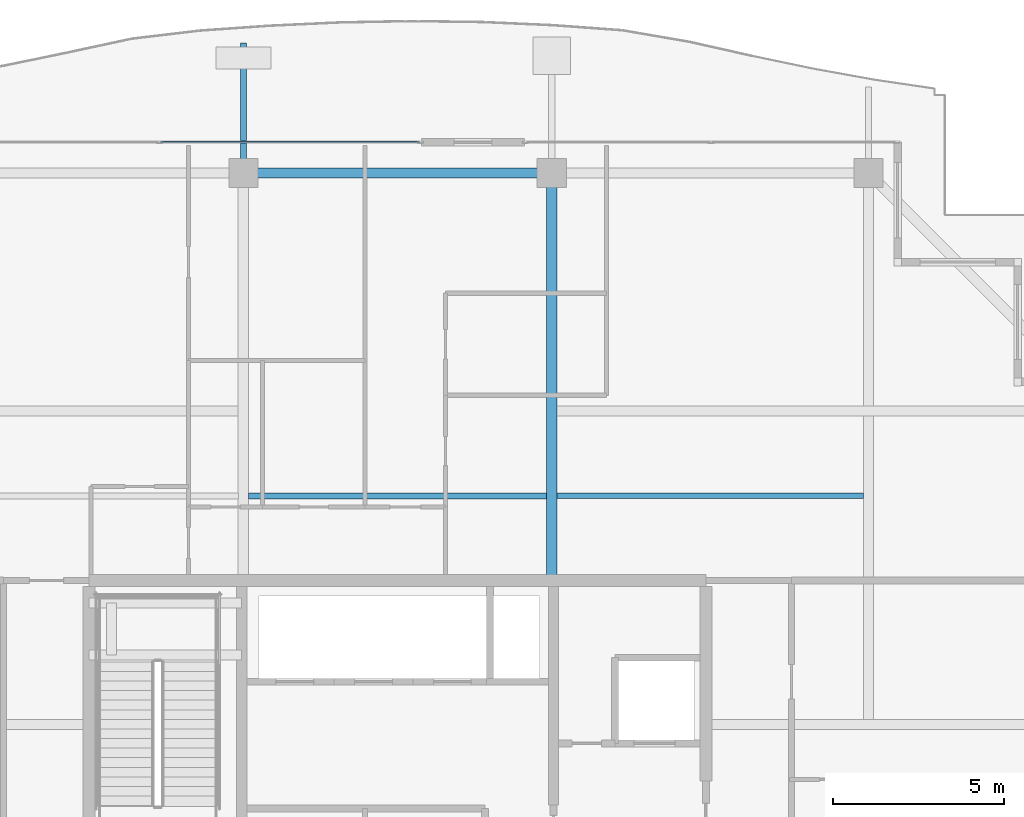
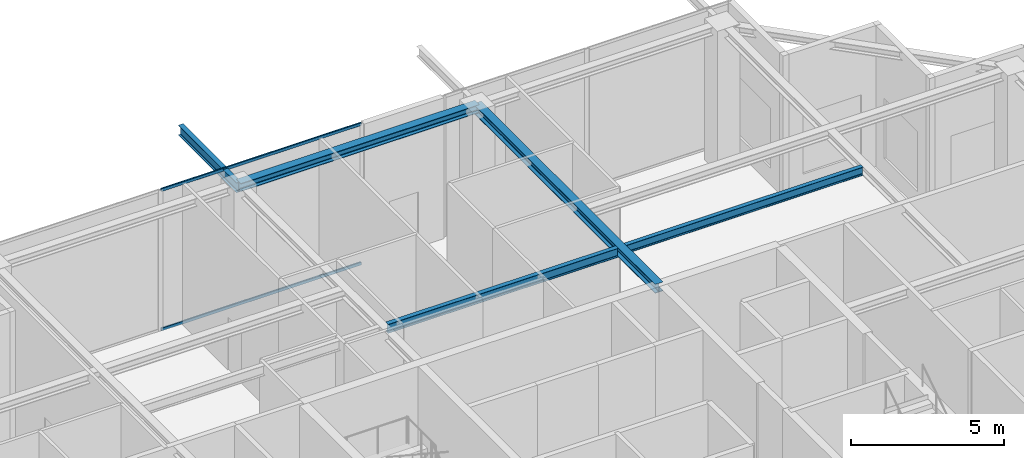
# One storey, part 22 of 40: 5 beams, 2 members, 1 element without a shape of its own.
"""IFC4 building model written with IfcOpenShell, lengths in metres."""

from ifc_helpers import new_model, si_unit, direction, frame, origin, origin_2d, place, context, subcontext, project, spatial, hollow_rectangle, i_section, extrude, source, transform, mapped, material, layer, layer_set, material_profile, profile_set, type_object, element, aggregate, save


model = new_model("IFC4")

# Units and contexts
model_context = context("Model", 3, precision=1e-05, world=origin(), true_north=direction((0.0, 1.0)))
body_context = subcontext(model_context, "Body", "Model", "MODEL_VIEW")
ifc_project = project(units=[si_unit("LENGTHUNIT", "METRE"), si_unit("AREAUNIT", "SQUARE_METRE"), si_unit("VOLUMEUNIT", "CUBIC_METRE"), si_unit("PLANEANGLEUNIT", "RADIAN"), si_unit("MASSUNIT", "GRAM", prefix="KILO")], contexts=[model_context])

# Site, building, storey
site_placement = place(None, origin())
site = spatial("IfcSite", under=ifc_project, at=site_placement, CompositionType="ELEMENT")
building_placement = place(site_placement, origin())
building = spatial("IfcBuilding", under=site, at=building_placement, Name="Serunith Strait Residences", CompositionType="ELEMENT")
storey_placement = place(building_placement, frame((0.0, 0.0, 347.949951171875)))
storey = spatial("IfcBuildingStorey", under=building, at=storey_placement, Name="L86", CompositionType="ELEMENT", Elevation=347.949951171875)

# Beams
ifc_material_1 = material(Name="Steel S355J2", Category="steel")
ifc_material_profile_1 = material_profile(ifc_material_1, i_section(OverallWidth=0.169921875, OverallDepth=0.360107421875, WebThickness=0.008056640625, FlangeThickness=0.0126953125, FilletRadius=0.01806640625, at=origin_2d()), Name="IPE 360")
ifc_profile_set_1 = profile_set([ifc_material_profile_1], Name="Steel S355J2")
beam_type_1 = type_object("IfcBeamType", Name="BM-IPE360", PredefinedType="JOIST", material=ifc_profile_set_1)
shared_shape_1 = source(origin(), body_context, "Body", "SweptSolid", [
    extrude(i_section(OverallWidth=0.169921875, OverallDepth=0.360107421875, WebThickness=0.008056640625, FlangeThickness=0.0126953125, FilletRadius=0.01806640625, at=origin_2d()), origin(), (0.0, 0.0, 1.0), 8.699951171875),
])
beam_1_placement = place(storey_placement, frame((28.050048828125, 36.074951171875, 5.45703125), z_axis=(1.0, 0.0, 0.0), x_axis=(0.0, 1.0, 0.0)))
element("IfcBeam", 1, at=beam_1_placement, inside=storey, type_object=beam_type_1, Name="L86 Composite Floor Joist 05", PredefinedType="JOIST", context=body_context, shape_type="MappedRepresentation", body=[
    mapped(shared_shape_1, transform((0.0, 0.0, 0.0), scale=1.0)),
])
ifc_material_profile_2 = material_profile(ifc_material_1, i_section(OverallWidth=0.300048828125, OverallDepth=0.360107421875, WebThickness=0.012451171875, FlangeThickness=0.0224609375, FilletRadius=0.027099609375, at=origin_2d()), Name="HEB 360")
ifc_profile_set_2 = profile_set([ifc_material_profile_2], Name="Steel S355J2")
beam_type_2 = type_object("IfcBeamType", Name="BM-HEB360", PredefinedType="BEAM", material=ifc_profile_set_2)
shared_shape_2 = source(origin(), body_context, "Body", "SweptSolid", [
    extrude(i_section(OverallWidth=0.300048828125, OverallDepth=0.360107421875, WebThickness=0.012451171875, FlangeThickness=0.0224609375, FilletRadius=0.027099609375, at=origin_2d()), origin(), (0.0, 0.0, 1.0), 11.89990234375),
])
beam_2_placement = place(storey_placement, frame((36.89990234375, 33.60009765625, 5.45703125), z_axis=(0.0, 1.0, 0.0), x_axis=(-1.0, 0.0, 0.0)))
element("IfcBeam", 2, at=beam_2_placement, inside=storey, type_object=beam_type_2, Name="L86 Primary Floor Girder TC-N3", PredefinedType="BEAM", context=body_context, shape_type="MappedRepresentation", body=[
    mapped(shared_shape_2, transform((0.0, 0.0, 0.0), scale=1.0)),
])
ifc_material_profile_3 = material_profile(ifc_material_1, i_section(OverallWidth=0.300048828125, OverallDepth=0.320068359375, WebThickness=0.011474609375, FlangeThickness=0.0205078125, FilletRadius=0.027099609375, at=origin_2d()), Name="HEB 320")
ifc_profile_set_3 = profile_set([ifc_material_profile_3], Name="Steel S355J2")
beam_type_3 = type_object("IfcBeamType", Name="BM-HEB320", PredefinedType="BEAM", material=ifc_profile_set_3)
shared_shape_3 = source(origin(), body_context, "Body", "SweptSolid", [
    extrude(i_section(OverallWidth=0.300048828125, OverallDepth=0.320068359375, WebThickness=0.011474609375, FlangeThickness=0.0205078125, FilletRadius=0.027099609375, at=origin_2d()), origin(), (0.0, 0.0, 1.0), 9.0),
])
beam_3_placement = place(storey_placement, frame((36.89990234375, 45.5, 5.47705078125), z_axis=(-1.0, 0.0, 0.0), x_axis=(0.0, -1.0, 0.0)))
element("IfcBeam", 3, at=beam_3_placement, inside=storey, type_object=beam_type_3, Name="L86 Perimeter Ring Beam 10", PredefinedType="BEAM", context=body_context, shape_type="MappedRepresentation", body=[
    mapped(shared_shape_3, transform((0.0, 0.0, 0.0), scale=1.0)),
])
ifc_material_profile_4 = material_profile(ifc_material_1, i_section(OverallWidth=0.179931640625, OverallDepth=0.39990234375, WebThickness=0.008544921875, FlangeThickness=0.013427734375, FilletRadius=0.02099609375, at=origin_2d()), Name="IPE 400")
ifc_profile_set_4 = profile_set([ifc_material_profile_4], Name="Steel S355J2")
beam_type_4 = type_object("IfcBeamType", Name="BM-IPE400", PredefinedType="JOIST", material=ifc_profile_set_4)
shared_shape_4 = source(origin(), body_context, "Body", "SweptSolid", [
    extrude(i_section(OverallWidth=0.179931640625, OverallDepth=0.39990234375, WebThickness=0.008544921875, FlangeThickness=0.013427734375, FilletRadius=0.02099609375, at=origin_2d()), origin(), (0.0, 0.0, 1.0), 3.800048828125),
])
beam_4_placement = place(storey_placement, frame((27.89990234375, 45.5, 5.406982421875), z_axis=(0.0, 1.0, 0.0), x_axis=(-1.0, 0.0, 0.0)))
element("IfcBeam", 4, at=beam_4_placement, inside=storey, type_object=beam_type_4, Name="L87 Cantilevered Balcony Rib TC-N2", PredefinedType="JOIST", context=body_context, shape_type="MappedRepresentation", body=[
    mapped(shared_shape_4, transform((0.0, 0.0, 0.0), scale=1.0)),
])
ifc_material_profile_5 = material_profile(ifc_material_1, i_section(OverallWidth=0.159912109375, OverallDepth=0.330078125, WebThickness=0.007568359375, FlangeThickness=0.011474609375, FilletRadius=0.01806640625, at=origin_2d()), Name="IPE 330")
ifc_profile_set_5 = profile_set([ifc_material_profile_5], Name="Steel S355J2")
beam_type_5 = type_object("IfcBeamType", Name="BM-IPE330", PredefinedType="JOIST", material=ifc_profile_set_5)
shared_shape_5 = source(origin(), body_context, "Body", "SweptSolid", [
    extrude(i_section(OverallWidth=0.159912109375, OverallDepth=0.330078125, WebThickness=0.007568359375, FlangeThickness=0.011474609375, FilletRadius=0.01806640625, at=origin_2d()), origin(), (0.0, 0.0, 1.0), 8.949951171875),
])
beam_5_placement = place(storey_placement, frame((37.050048828125, 36.074951171875, 5.47216796875), z_axis=(1.0, 0.0, 0.0), x_axis=(0.0, 1.0, 0.0)))
element("IfcBeam", 5, at=beam_5_placement, inside=storey, type_object=beam_type_5, Name="L86 Composite Floor Joist 06", PredefinedType="JOIST", context=body_context, shape_type="MappedRepresentation", body=[
    mapped(shared_shape_5, transform((0.0, 0.0, 0.0), scale=1.0)),
])

# Curtain wall, members
ifc_material_2 = material(Name="Brushed Stainless-Silver Aluminium", Category="aluminium")
ifc_layer = layer(ifc_material_2, 0.199951171875, Name="Brushed Stainless-Silver Aluminium")
ifc_layer_set = layer_set([ifc_layer], Name="Brushed Stainless-Silver Aluminium")
curtain_wall_type = type_object("IfcCurtainWallType", Name="CW-SYS5", PredefinedType="NOTDEFINED", material=ifc_layer_set)
curtain_wall_placement = place(storey_placement, origin())
curtain_wall = element("IfcCurtainWall", 6, at=curtain_wall_placement, inside=storey, type_object=curtain_wall_type, Name="L86 N Unitised Fritted Curtain Wall", PredefinedType="NOTDEFINED")
ifc_material_profile_6 = material_profile(ifc_material_2, hollow_rectangle(XDim=0.06005859375, YDim=0.1201171875, WallThickness=0.00341796875, InnerFilletRadius=0.00537109375, OuterFilletRadius=0.0087890625, at=origin_2d()), Name="ALU 120x60x3.5")
ifc_profile_set_6 = profile_set([ifc_material_profile_6], Name="Brushed Stainless-Silver Aluminium")
member_type = type_object("IfcMemberType", Name="CW-SYS5-TRAN", PredefinedType="USERDEFINED", material=ifc_profile_set_6)
shared_shape_6 = source(origin(), body_context, "Body", "SweptSolid", [
    extrude(hollow_rectangle(XDim=0.06005859375, YDim=0.1201171875, WallThickness=0.00341796875, InnerFilletRadius=0.00537109375, OuterFilletRadius=0.0087890625, at=origin_2d()), origin(), (0.0, 0.0, 1.0), 7.552490234375),
])
member_1_placement = place(storey_placement, frame((33.034912109375, 46.39990234375, 0.030029296875), z_axis=(-1.0, 0.0, 0.0), x_axis=(0.0, -1.0, 0.0)))
member_1 = element("IfcMember", 7, at=member_1_placement, type_object=member_type, Name="CW-5 transom 1.1", ObjectType="TRANSOM", PredefinedType="USERDEFINED", context=body_context, shape_type="MappedRepresentation", body=[
    mapped(shared_shape_6, transform((0.0, 0.0, 0.0), scale=1.0)),
])
member_2_placement = place(storey_placement, frame((33.034912109375, 46.39990234375, 5.594970703125), z_axis=(-1.0, 0.0, 0.0), x_axis=(0.0, -1.0, 0.0)))
member_2 = element("IfcMember", 8, at=member_2_placement, type_object=member_type, Name="CW-5 transom 1.2", ObjectType="TRANSOM", PredefinedType="USERDEFINED", context=body_context, shape_type="MappedRepresentation", body=[
    mapped(shared_shape_6, transform((0.0, 0.0, 0.0), scale=1.0)),
])
aggregate(curtain_wall, [member_1, member_2])

save(model, "model.ifc")
